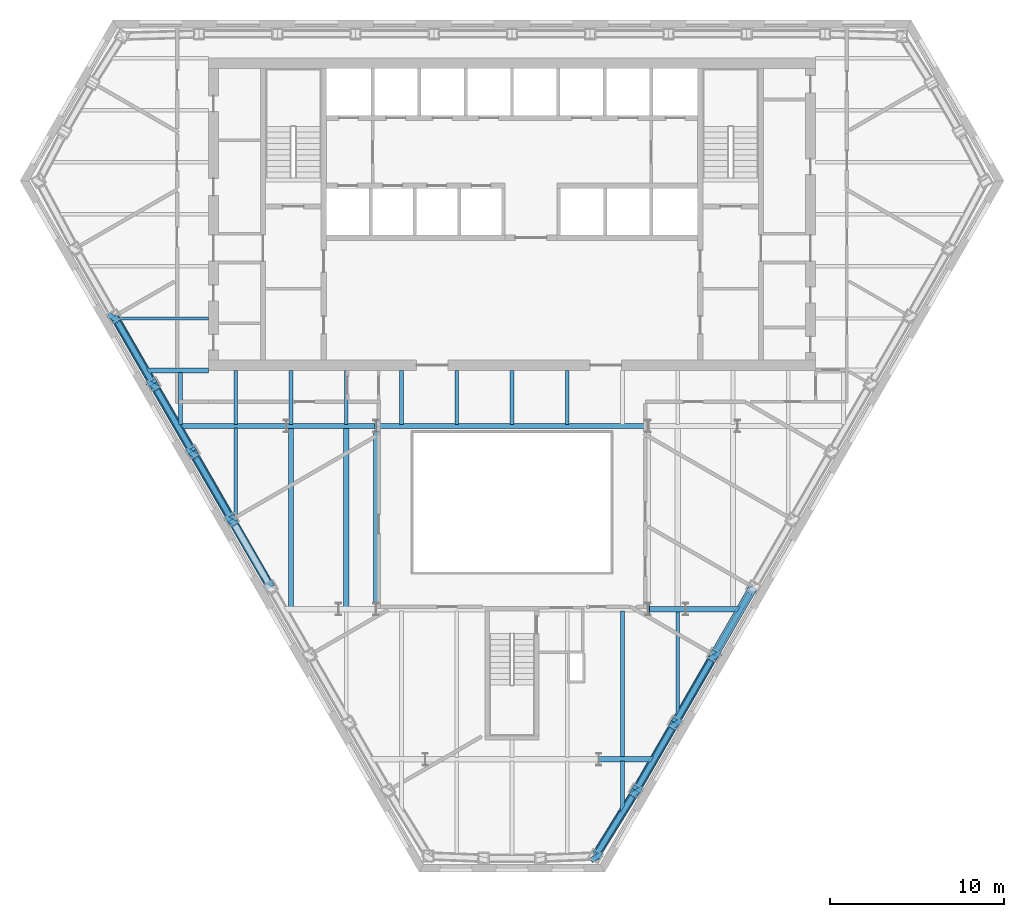
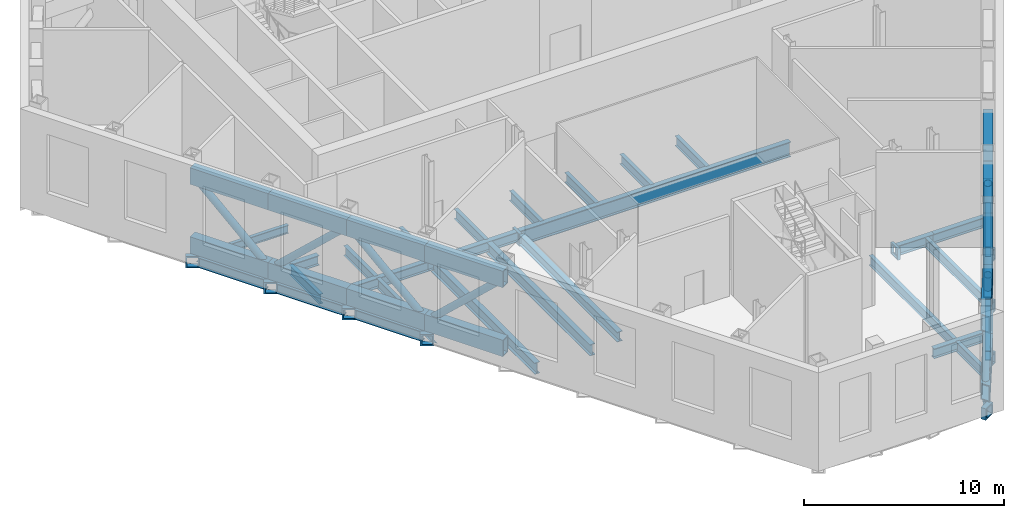
# One storey, part 3 of 14: 40 beams, 23 members.
"""IFC4 building model written with IfcOpenShell, lengths in metres."""

from ifc_helpers import new_model, si_unit, direction, frame, origin, origin_2d, place, context, subcontext, project, spatial, hollow_rectangle, hollow_circle, i_section, extrude, clip, halfspace, material, material_profile, profile_set, type_object, element, save


model = new_model("IFC4")

# Units and contexts
model_context = context("Model", 3, precision=1e-05, world=origin(), true_north=direction((0.0, 1.0)))
body_context = subcontext(model_context, "Body", "Model", "MODEL_VIEW")
ifc_project = project(units=[si_unit("LENGTHUNIT", "METRE"), si_unit("AREAUNIT", "SQUARE_METRE"), si_unit("VOLUMEUNIT", "CUBIC_METRE"), si_unit("PLANEANGLEUNIT", "RADIAN"), si_unit("MASSUNIT", "GRAM", prefix="KILO")], contexts=[model_context])

# Site, building, storey
site_placement = place(None, origin())
site = spatial("IfcSite", under=ifc_project, at=site_placement, CompositionType="ELEMENT")
building_placement = place(site_placement, origin())
building = spatial("IfcBuilding", under=site, at=building_placement, Name="Njiva Tower", CompositionType="ELEMENT")
storey_placement = place(building_placement, frame((0.0, 0.0, 78.3)))
storey = spatial("IfcBuildingStorey", under=building, at=storey_placement, Name="L16", CompositionType="ELEMENT", Elevation=78.3)

# Beams
ifc_material_1 = material(Name="Steel S355 J2", Category="steel")
ifc_material_profile_1 = material_profile(ifc_material_1, i_section(OverallWidth=0.3, OverallDepth=0.69, WebThickness=0.0145, FlangeThickness=0.027, at=origin_2d()), Name="HEA 700")
ifc_profile_set_1 = profile_set([ifc_material_profile_1], Name="Steel S355 J2")
beam_type_1 = type_object("IfcBeamType", Name="B12 Long-span floor joist HEA 700", PredefinedType="JOIST", material=ifc_profile_set_1)
for number, where, z_axis, x_axis, name in (
    (1, (-12.733, -3.3, -0.545), (0.0, -1.0, 0.0), (1.0, 0.0, 0.0), "Long-span floor joist T1-B061"),
    (2, (-9.55, -3.3, -0.545), (0.0, -1.0, 0.0), (1.0, 0.0, 0.0), "Long-span floor joist T1-B064"),
):
    element("IfcBeam", number, at=place(storey_placement, frame(where, z_axis=z_axis, x_axis=x_axis)), inside=storey, type_object=beam_type_1, Name=name, PredefinedType="JOIST", context=body_context, shape_type="SweptSolid", body=[
        extrude(i_section(OverallWidth=0.3, OverallDepth=0.69, WebThickness=0.0145, FlangeThickness=0.027, at=origin_2d()), origin(), (0.0, 0.0, 1.0), 10.35),
    ])
ifc_material_profile_2 = material_profile(ifc_material_1, i_section(OverallWidth=0.22, OverallDepth=0.6, WebThickness=0.012, FlangeThickness=0.019, at=origin_2d()), Name="IPE 600")
ifc_profile_set_2 = profile_set([ifc_material_profile_2], Name="Steel S355 J2")
beam_type_2 = type_object("IfcBeamType", Name="B13 Floor joist IPE 600", PredefinedType="JOIST", material=ifc_profile_set_2)
beam_1_placement = place(storey_placement, frame((-15.917, -3.3, -0.5), z_axis=(0.0, -1.0, 0.0), x_axis=(1.0, 0.0, 0.0)))
element("IfcBeam", 3, at=beam_1_placement, inside=storey, type_object=beam_type_2, Name="Floor joist T1-B059", PredefinedType="JOIST", context=body_context, shape_type="Clipping", body=[
    clip(extrude(i_section(OverallWidth=0.22, OverallDepth=0.6, WebThickness=0.012, FlangeThickness=0.019, at=origin_2d()), origin(), (0.0, 0.0, 1.0), 5.713), halfspace(frame((-0.043, 0.0, 5.4266), z_axis=(-0.866026552831, 0.0, 0.499998009787), x_axis=(0.0, 1.0, 0.0)), False)),
])
beam_2_placement = place(storey_placement, frame((6.367, -13.851, -0.5), z_axis=(0.0, -1.0, 0.0), x_axis=(1.0, 0.0, 0.0)))
element("IfcBeam", 4, at=beam_2_placement, inside=storey, type_object=beam_type_2, Name="Floor joist T1-B079", PredefinedType="JOIST", context=body_context, shape_type="SweptSolid", body=[
    extrude(i_section(OverallWidth=0.22, OverallDepth=0.6, WebThickness=0.012, FlangeThickness=0.019, at=origin_2d()), origin(), (0.0, 0.0, 1.0), 8.449),
])
beam_3_placement = place(storey_placement, frame((9.55, -13.85, -0.5), z_axis=(0.0, -1.0, 0.0), x_axis=(1.0, 0.0, 0.0)))
element("IfcBeam", 5, at=beam_3_placement, inside=storey, type_object=beam_type_2, Name="Floor joist T1-B081", PredefinedType="JOIST", context=body_context, shape_type="Clipping", body=[
    clip(extrude(i_section(OverallWidth=0.22, OverallDepth=0.6, WebThickness=0.012, FlangeThickness=0.019, at=origin_2d()), origin(), (0.0, 0.0, 1.0), 6.19), halfspace(frame((0.0433, 0.0, 5.904), z_axis=(0.866026552831, 0.0, 0.499998009787), x_axis=(0.0, 1.0, 0.0)), False)),
])
ifc_material_profile_3 = material_profile(ifc_material_1, i_section(OverallWidth=0.22, OverallDepth=0.6, WebThickness=0.012, FlangeThickness=0.019, at=origin_2d()), Name="IPE 600")
ifc_profile_set_3 = profile_set([ifc_material_profile_3], Name="Steel S355 J2")
beam_type_3 = type_object("IfcBeamType", Name="B14 Short-span floor joist IPE 600", PredefinedType="JOIST", material=ifc_profile_set_3)
beam_4_placement = place(storey_placement, frame((-19.1, -0.1, -0.5), z_axis=(0.0, -1.0, 0.0), x_axis=(1.0, 0.0, 0.0)))
element("IfcBeam", 6, at=beam_4_placement, inside=storey, type_object=beam_type_3, Name="Short-span floor joist T1-B058", PredefinedType="JOIST", context=body_context, shape_type="SweptSolid", body=[
    extrude(i_section(OverallWidth=0.22, OverallDepth=0.6, WebThickness=0.012, FlangeThickness=0.019, at=origin_2d()), origin(), (0.0, 0.0, 1.0), 3.0),
])
for number, where, z_axis, x_axis, name in (
    (7, (-15.917, -0.005, -0.5), (0.0, -1.0, 0.0), (1.0, 0.0, 0.0), "Short-span floor joist T1-B060"),
    (8, (-12.733, -0.005, -0.5), (0.0, -1.0, 0.0), (1.0, 0.0, 0.0), "Short-span floor joist T1-B062"),
    (9, (-9.55, -0.005, -0.5), (0.0, -1.0, 0.0), (1.0, 0.0, 0.0), "Short-span floor joist T1-B065"),
):
    element("IfcBeam", number, at=place(storey_placement, frame(where, z_axis=z_axis, x_axis=x_axis)), inside=storey, type_object=beam_type_3, Name=name, PredefinedType="JOIST", context=body_context, shape_type="SweptSolid", body=[
        extrude(i_section(OverallWidth=0.22, OverallDepth=0.6, WebThickness=0.012, FlangeThickness=0.019, at=origin_2d()), origin(), (0.0, 0.0, 1.0), 3.095),
    ])
for number, where, z_axis, x_axis, name in (
    (10, (-6.367, -0.005, -0.5), (0.0, -1.0, 0.0), (1.0, 0.0, 0.0), "Short-span floor joist T1-B068"),
    (11, (-3.183, -0.005, -0.5), (0.0, -1.0, 0.0), (1.0, 0.0, 0.0), "Short-span floor joist T1-B071"),
    (12, (0.0, -0.005, -0.5), (0.0, -1.0, 0.0), (1.0, 0.0, 0.0), "Short-span floor joist T1-B074"),
    (13, (3.183, -0.005, -0.5), (0.0, -1.0, 0.0), (1.0, 0.0, 0.0), "Short-span floor joist T1-B077"),
):
    element("IfcBeam", number, at=place(storey_placement, frame(where, z_axis=z_axis, x_axis=x_axis)), inside=storey, type_object=beam_type_3, Name=name, PredefinedType="JOIST", context=body_context, shape_type="SweptSolid", body=[
        extrude(i_section(OverallWidth=0.22, OverallDepth=0.6, WebThickness=0.012, FlangeThickness=0.019, at=origin_2d()), origin(), (0.0, 0.0, 1.0), 3.094),
    ])
beam_5_placement = place(storey_placement, frame((6.367, -22.5, -0.5), z_axis=(0.0, -1.0, 0.0), x_axis=(1.0, 0.0, 0.0)))
element("IfcBeam", 14, at=beam_5_placement, inside=storey, type_object=beam_type_3, Name="Short-span floor joist T1-B078", PredefinedType="JOIST", context=body_context, shape_type="Clipping", body=[
    clip(extrude(i_section(OverallWidth=0.22, OverallDepth=0.6, WebThickness=0.012, FlangeThickness=0.019, at=origin_2d()), origin(), (0.0, 0.0, 1.0), 2.962), halfspace(frame((0.0422, 0.0, 2.6952), z_axis=(0.850620428373, 0.0, 0.525780264783), x_axis=(0.0, 1.0, 0.0)), False)),
])
ifc_material_profile_4 = material_profile(ifc_material_1, hollow_rectangle(XDim=0.7, YDim=0.7, WallThickness=0.08, at=origin_2d()), Name="BOX 700x700x80")
ifc_profile_set_4 = profile_set([ifc_material_profile_4], Name="Steel S355 J2")
beam_type_4 = type_object("IfcBeamType", Name="B19 Column jog beam BOX 700x700x80", PredefinedType="BEAM", material=ifc_profile_set_4)
for number, where, z_axis, x_axis, name in (
    (15, (-23.039, 2.918, -0.55), (0.49972245349, 0.866185586049, 0.0), (-0.866185586049, 0.49972245349, 0.0), "Column jog beam T1-B030"),
    (16, (-20.785, -0.986, -0.55), (0.49972245349, 0.866185586049, 0.0), (-0.866185586049, 0.49972245349, 0.0), "Column jog beam T1-B031"),
    (17, (-18.531, -4.889, -0.55), (0.49972245349, 0.866185586049, 0.0), (-0.866185586049, 0.49972245349, 0.0), "Column jog beam T1-B032"),
    (18, (-16.277, -8.793, -0.55), (0.49972245349, 0.866185586049, 0.0), (-0.866185586049, 0.49972245349, 0.0), "Column jog beam T1-B033"),
):
    element("IfcBeam", number, at=place(storey_placement, frame(where, z_axis=z_axis, x_axis=x_axis)), inside=storey, type_object=beam_type_4, Name=name, PredefinedType="BEAM", context=body_context, shape_type="SweptSolid", body=[
        extrude(hollow_rectangle(XDim=0.7, YDim=0.7, WallThickness=0.08, at=origin_2d()), origin(), (0.0, 0.0, 1.0), 0.3002),
    ])
beam_6_placement = place(storey_placement, frame((4.931, -28.178, -0.55), z_axis=(-0.501167968632, 0.865350025838, 0.0), x_axis=(-0.865350025838, -0.501167968632, 0.0)))
element("IfcBeam", 19, at=beam_6_placement, inside=storey, type_object=beam_type_4, Name="Column jog beam T1-B043", PredefinedType="BEAM", context=body_context, shape_type="SweptSolid", body=[
    extrude(hollow_rectangle(XDim=0.7, YDim=0.7, WallThickness=0.08, at=origin_2d()), origin(), (0.0, 0.0, 1.0), 0.2993),
])
for number, where, z_axis, x_axis, name in (
    (20, (7.262, -24.408, -0.55), (-0.49972245349, 0.866185586049, 0.0), (-0.866185586049, -0.49972245349, 0.0), "Column jog beam T1-B044"),
    (21, (9.516, -20.504, -0.55), (-0.49972245349, 0.866185586049, 0.0), (-0.866185586049, -0.49972245349, 0.0), "Column jog beam T1-B047"),
    (22, (11.77, -16.6, -0.55), (-0.49972245349, 0.866185586049, 0.0), (-0.866185586049, -0.49972245349, 0.0), "Column jog beam T1-B048"),
):
    element("IfcBeam", number, at=place(storey_placement, frame(where, z_axis=z_axis, x_axis=x_axis)), inside=storey, type_object=beam_type_4, Name=name, PredefinedType="BEAM", context=body_context, shape_type="SweptSolid", body=[
        extrude(hollow_rectangle(XDim=0.7, YDim=0.7, WallThickness=0.08, at=origin_2d()), origin(), (0.0, 0.0, 1.0), 0.3002),
    ])
for number, where, z_axis, x_axis, name in (
    (23, (-7.93, -3.2, -0.55), (1.0, 0.0, 0.0), (0.0, 1.0, 0.0), "Column jog beam T1-B038"),
    (24, (7.93, -13.75, -0.55), (-1.0, 0.0, 0.0), (0.0, -1.0, 0.0), "Column jog beam T1-B045"),
):
    element("IfcBeam", number, at=place(storey_placement, frame(where, z_axis=z_axis, x_axis=x_axis)), inside=storey, type_object=beam_type_4, Name=name, PredefinedType="BEAM", context=body_context, shape_type="SweptSolid", body=[
        extrude(hollow_rectangle(XDim=0.7, YDim=0.7, WallThickness=0.08, at=origin_2d()), origin(), (0.0, 0.0, 1.0), 0.16),
    ])
ifc_material_profile_5 = material_profile(ifc_material_1, i_section(OverallWidth=0.3, OverallDepth=0.6, WebThickness=0.0155, FlangeThickness=0.03, at=origin_2d()), Name="HEB 600")
ifc_profile_set_5 = profile_set([ifc_material_profile_5], Name="Steel S355 J2")
beam_type_5 = type_object("IfcBeamType", Name="B20 Floor girder HEB 600", PredefinedType="BEAM", material=ifc_profile_set_5)
beam_7_placement = place(storey_placement, frame((-19.258, -3.2, -0.5), z_axis=(1.0, 0.0, 0.0), x_axis=(0.0, 1.0, 0.0)))
element("IfcBeam", 25, at=beam_7_placement, inside=storey, type_object=beam_type_5, Name="Floor girder T1-B014", PredefinedType="BEAM", context=body_context, shape_type="Clipping", body=[
    clip(extrude(i_section(OverallWidth=0.3, OverallDepth=0.6, WebThickness=0.0155, FlangeThickness=0.03, at=origin_2d()), origin(), (0.0, 0.0, 1.0), 6.258), halfspace(frame((-0.025, 0.0, 0.1217), z_axis=(-0.499998009787, 0.0, -0.866026552831), x_axis=(0.0, -1.0, 0.0)), False)),
])
beam_8_placement = place(storey_placement, frame((-13.0, -3.2, -0.5), z_axis=(1.0, 0.0, 0.0), x_axis=(0.0, 1.0, 0.0)))
element("IfcBeam", 26, at=beam_8_placement, inside=storey, type_object=beam_type_5, Name="Floor girder T1-B016", PredefinedType="BEAM", context=body_context, shape_type="SweptSolid", body=[
    extrude(i_section(OverallWidth=0.3, OverallDepth=0.6, WebThickness=0.0155, FlangeThickness=0.03, at=origin_2d()), origin(), (0.0, 0.0, 1.0), 5.17),
])
ifc_material_profile_6 = material_profile(ifc_material_1, i_section(OverallWidth=0.3, OverallDepth=0.6, WebThickness=0.0155, FlangeThickness=0.03, at=origin_2d()), Name="HEB 600")
ifc_profile_set_6 = profile_set([ifc_material_profile_6], Name="Steel S355 J2")
beam_type_6 = type_object("IfcBeamType", Name="B21 Short-span floor girder HEB 600", PredefinedType="BEAM", material=ifc_profile_set_6)
beam_9_placement = place(storey_placement, frame((7.83, -13.75, -0.5), z_axis=(1.0, 0.0, 0.0), x_axis=(0.0, 1.0, 0.0)))
element("IfcBeam", 27, at=beam_9_placement, inside=storey, type_object=beam_type_6, Name="Short-span floor girder T1-B021", PredefinedType="BEAM", context=body_context, shape_type="SweptSolid", body=[
    extrude(i_section(OverallWidth=0.3, OverallDepth=0.6, WebThickness=0.0155, FlangeThickness=0.03, at=origin_2d()), origin(), (0.0, 0.0, 1.0), 2.17),
])
beam_10_placement = place(storey_placement, frame((10.0, -13.75, -0.5), z_axis=(1.0, 0.0, 0.0), x_axis=(0.0, 1.0, 0.0)))
element("IfcBeam", 28, at=beam_10_placement, inside=storey, type_object=beam_type_6, Name="Short-span floor girder T1-B023", PredefinedType="BEAM", context=body_context, shape_type="Clipping", body=[
    clip(extrude(i_section(OverallWidth=0.3, OverallDepth=0.6, WebThickness=0.0155, FlangeThickness=0.03, at=origin_2d()), origin(), (0.0, 0.0, 1.0), 3.167), halfspace(frame((-0.025, 0.0, 3.0453), z_axis=(-0.499998009787, 0.0, 0.866026552831), x_axis=(0.0, 1.0, 0.0)), False)),
])
beam_11_placement = place(storey_placement, frame((5.0, -22.4, -0.5), z_axis=(1.0, 0.0, 0.0), x_axis=(0.0, 1.0, 0.0)))
element("IfcBeam", 29, at=beam_11_placement, inside=storey, type_object=beam_type_6, Name="Short-span floor girder T1-B020", PredefinedType="BEAM", context=body_context, shape_type="Clipping", body=[
    clip(extrude(i_section(OverallWidth=0.3, OverallDepth=0.6, WebThickness=0.0155, FlangeThickness=0.03, at=origin_2d()), origin(), (0.0, 0.0, 1.0), 3.173), halfspace(frame((-0.025, 0.0, 3.0512), z_axis=(-0.499998009787, 0.0, 0.866026552831), x_axis=(0.0, 1.0, 0.0)), False)),
])
beam_12_placement = place(storey_placement, frame((-21.105, 0.0, -0.5), z_axis=(1.0, 0.0, 0.0), x_axis=(0.0, 1.0, 0.0)))
element("IfcBeam", 30, at=beam_12_placement, inside=storey, type_object=beam_type_6, Name="Short-span floor girder T1-B013", PredefinedType="BEAM", context=body_context, shape_type="Clipping", body=[
    clip(extrude(i_section(OverallWidth=0.3, OverallDepth=0.6, WebThickness=0.0155, FlangeThickness=0.03, at=origin_2d()), origin(), (0.0, 0.0, 1.0), 3.605), halfspace(frame((-0.025, 0.0, 0.1211), z_axis=(-0.499998009787, 0.0, -0.866026552831), x_axis=(0.0, -1.0, 0.0)), False)),
])
ifc_material_profile_7 = material_profile(ifc_material_1, i_section(OverallWidth=0.3, OverallDepth=0.6, WebThickness=0.0155, FlangeThickness=0.03, at=origin_2d()), Name="HEB 600")
ifc_profile_set_7 = profile_set([ifc_material_profile_7], Name="Steel S355 J2")
beam_type_7 = type_object("IfcBeamType", Name="B23 Long-span atrium trimmer beam HEB 600", PredefinedType="BEAM", material=ifc_profile_set_7)
beam_13_placement = place(storey_placement, frame((-7.83, -3.557, -0.5), z_axis=(0.0, -1.0, 0.0), x_axis=(1.0, 0.0, 0.0)))
element("IfcBeam", 31, at=beam_13_placement, inside=storey, type_object=beam_type_7, Name="Long-span atrium trimmer beam T1-B090", PredefinedType="BEAM", context=body_context, shape_type="SweptSolid", body=[
    extrude(i_section(OverallWidth=0.3, OverallDepth=0.6, WebThickness=0.0155, FlangeThickness=0.03, at=origin_2d()), origin(), (0.0, 0.0, 1.0), 9.836),
])
ifc_material_profile_8 = material_profile(ifc_material_1, i_section(OverallWidth=0.2, OverallDepth=0.5, WebThickness=0.0102, FlangeThickness=0.016, at=origin_2d()), Name="IPE 500")
ifc_profile_set_8 = profile_set([ifc_material_profile_8], Name="Steel S355 J2")
beam_type_8 = type_object("IfcBeamType", Name="B24 Floor beam to the core IPE 500", PredefinedType="BEAM", material=ifc_profile_set_8)
beam_14_placement = place(storey_placement, frame((-22.758, 3.0, -0.45), z_axis=(1.0, 0.0, 0.0), x_axis=(0.0, 1.0, 0.0)))
element("IfcBeam", 32, at=beam_14_placement, inside=storey, type_object=beam_type_8, Name="Floor beam to the core T1-B006", PredefinedType="BEAM", context=body_context, shape_type="Clipping", body=[
    clip(extrude(i_section(OverallWidth=0.2, OverallDepth=0.5, WebThickness=0.0102, FlangeThickness=0.016, at=origin_2d()), origin(), (0.0, 0.0, 1.0), 5.258), halfspace(frame((-0.025, 0.0, 0.0925), z_axis=(-0.499998009787, 0.0, -0.866026552831), x_axis=(0.0, -1.0, 0.0)), False)),
])
ifc_material_profile_9 = material_profile(ifc_material_1, i_section(OverallWidth=0.3, OverallDepth=0.6, WebThickness=0.0155, FlangeThickness=0.03, at=origin_2d()), Name="HEB 600")
ifc_profile_set_9 = profile_set([ifc_material_profile_9], Name="Steel S355 J2")
beam_type_9 = type_object("IfcBeamType", Name="B3 Short-span spandrel beam HEB 600", PredefinedType="SPANDREL", material=ifc_profile_set_9)
beam_15_placement = place(storey_placement, frame((-22.724, 2.788, -0.5), z_axis=(0.500047346826, -0.865998066356, 0.0), x_axis=(0.865998066356, 0.500047346826, 0.0)))
element("IfcBeam", 33, at=beam_15_placement, inside=storey, type_object=beam_type_9, Name="Short-span spandrel beam T1-B098", PredefinedType="SPANDREL", context=body_context, shape_type="SweptSolid", body=[
    extrude(i_section(OverallWidth=0.3, OverallDepth=0.6, WebThickness=0.0155, FlangeThickness=0.03, at=origin_2d()), origin(), (0.0, 0.0, 1.0), 3.9076),
])
beam_16_placement = place(storey_placement, frame((-20.47, -1.116, -0.5), z_axis=(0.500158186394, -0.865934055563, 0.0), x_axis=(0.865934055563, 0.500158186394, 0.0)))
element("IfcBeam", 34, at=beam_16_placement, inside=storey, type_object=beam_type_9, Name="Short-span spandrel beam T1-B100", PredefinedType="SPANDREL", context=body_context, shape_type="SweptSolid", body=[
    extrude(i_section(OverallWidth=0.3, OverallDepth=0.6, WebThickness=0.0155, FlangeThickness=0.03, at=origin_2d()), origin(), (0.0, 0.0, 1.0), 3.9068),
])
beam_17_placement = place(storey_placement, frame((-18.216, -5.019, -0.5), z_axis=(0.500047346826, -0.865998066356, 0.0), x_axis=(0.865998066356, 0.500047346826, 0.0)))
element("IfcBeam", 35, at=beam_17_placement, inside=storey, type_object=beam_type_9, Name="Short-span spandrel beam T1-B101", PredefinedType="SPANDREL", context=body_context, shape_type="SweptSolid", body=[
    extrude(i_section(OverallWidth=0.3, OverallDepth=0.6, WebThickness=0.0155, FlangeThickness=0.03, at=origin_2d()), origin(), (0.0, 0.0, 1.0), 3.9076),
])
beam_18_placement = place(storey_placement, frame((4.924, -27.788, -0.5), z_axis=(0.525832416533, 0.850588190444, 0.0), x_axis=(-0.850588190444, 0.525832416533, 0.0)))
element("IfcBeam", 36, at=beam_18_placement, inside=storey, type_object=beam_type_9, Name="Short-span spandrel beam T1-B116", PredefinedType="SPANDREL", context=body_context, shape_type="SweptSolid", body=[
    extrude(i_section(OverallWidth=0.3, OverallDepth=0.6, WebThickness=0.0155, FlangeThickness=0.03, at=origin_2d()), origin(), (0.0, 0.0, 1.0), 3.8244),
])
for number, where, z_axis, x_axis, name in (
    (37, (7.247, -24.018, -0.5), (0.500047346826, 0.865998066356, 0.0), (-0.865998066356, 0.500047346826, 0.0), "Short-span spandrel beam T1-B117"),
    (38, (9.501, -20.114, -0.5), (0.500047346826, 0.865998066356, 0.0), (-0.865998066356, 0.500047346826, 0.0), "Short-span spandrel beam T1-B119"),
):
    element("IfcBeam", number, at=place(storey_placement, frame(where, z_axis=z_axis, x_axis=x_axis)), inside=storey, type_object=beam_type_9, Name=name, PredefinedType="SPANDREL", context=body_context, shape_type="SweptSolid", body=[
        extrude(i_section(OverallWidth=0.3, OverallDepth=0.6, WebThickness=0.0155, FlangeThickness=0.03, at=origin_2d()), origin(), (0.0, 0.0, 1.0), 3.9076),
    ])
beam_19_placement = place(storey_placement, frame((11.755, -16.21, -0.5), z_axis=(0.499966215292, 0.866044908516, 0.0), x_axis=(-0.866044908516, 0.499966215292, 0.0)))
element("IfcBeam", 39, at=beam_19_placement, inside=storey, type_object=beam_type_9, Name="Short-span spandrel beam T1-B120", PredefinedType="SPANDREL", context=body_context, shape_type="SweptSolid", body=[
    extrude(i_section(OverallWidth=0.3, OverallDepth=0.6, WebThickness=0.0155, FlangeThickness=0.03, at=origin_2d()), origin(), (0.0, 0.0, 1.0), 3.9063),
])
ifc_material_profile_10 = material_profile(ifc_material_1, i_section(OverallWidth=0.302, OverallDepth=0.91, WebThickness=0.021, FlangeThickness=0.04, at=origin_2d()), Name="HEM 900")
ifc_profile_set_10 = profile_set([ifc_material_profile_10], Name="Steel S355 J2")
beam_type_10 = type_object("IfcBeamType", Name="B8 Long-span atrium trimmer beam HEM 900", PredefinedType="BEAM", material=ifc_profile_set_10)
beam_20_placement = place(storey_placement, frame((7.83, -3.2, -0.655), z_axis=(-1.0, 0.0, 0.0), x_axis=(0.0, -1.0, 0.0)))
element("IfcBeam", 40, at=beam_20_placement, inside=storey, type_object=beam_type_10, Name="Long-span atrium trimmer beam T1-B091", PredefinedType="BEAM", context=body_context, shape_type="SweptSolid", body=[
    extrude(i_section(OverallWidth=0.302, OverallDepth=0.91, WebThickness=0.021, FlangeThickness=0.04, at=origin_2d()), origin(), (0.0, 0.0, 1.0), 15.66),
])

# Members
ifc_material_profile_11 = material_profile(ifc_material_1, hollow_rectangle(XDim=0.5, YDim=1.0, WallThickness=0.06, at=origin_2d()), Name="BOX 1000x500x60")
ifc_profile_set_11 = profile_set([ifc_material_profile_11], Name="Steel S355 J2")
member_type_1 = type_object("IfcMemberType", Name="TC1 Transfer and belt truss chord BOX 1000x500x60", PredefinedType="CHORD", material=ifc_profile_set_11)
for number, where, z_axis, x_axis, name in (
    (41, (-22.919, 3.126, 0.5), (0.500004084281, -0.866023045711, 0.0), (0.866023045711, 0.500004084281, 0.0), "Transfer and belt truss chord T1-TR046"),
    (42, (-22.919, 3.126, 4.7), (0.500004084281, -0.866023045711, 0.0), (0.866023045711, 0.500004084281, 0.0), "Transfer and belt truss chord T1-TR047"),
):
    element("IfcMember", number, at=place(storey_placement, frame(where, z_axis=z_axis, x_axis=x_axis)), inside=storey, type_object=member_type_1, Name=name, PredefinedType="CHORD", context=body_context, shape_type="SweptSolid", body=[
        extrude(hollow_rectangle(XDim=0.5, YDim=1.0, WallThickness=0.06, at=origin_2d()), origin(), (0.0, 0.0, 1.0), 4.508),
    ])
for number, where, z_axis, x_axis, name in (
    (43, (-20.665, -0.778, 0.5), (0.50010015525, -0.865967571402, 0.0), (0.865967571402, 0.50010015525, 0.0), "Transfer and belt truss chord T1-TR049"),
    (44, (-20.665, -0.778, 4.7), (0.50010015525, -0.865967571402, 0.0), (0.865967571402, 0.50010015525, 0.0), "Transfer and belt truss chord T1-TR050"),
):
    element("IfcMember", number, at=place(storey_placement, frame(where, z_axis=z_axis, x_axis=x_axis)), inside=storey, type_object=member_type_1, Name=name, PredefinedType="CHORD", context=body_context, shape_type="SweptSolid", body=[
        extrude(hollow_rectangle(XDim=0.5, YDim=1.0, WallThickness=0.06, at=origin_2d()), origin(), (0.0, 0.0, 1.0), 4.5071),
    ])
for number, where, z_axis, x_axis, name in (
    (45, (-18.411, -4.681, 0.5), (0.500004084281, -0.866023045711, 0.0), (0.866023045711, 0.500004084281, 0.0), "Transfer and belt truss chord T1-TR052"),
    (46, (-18.411, -4.681, 4.7), (0.500004084281, -0.866023045711, 0.0), (0.866023045711, 0.500004084281, 0.0), "Transfer and belt truss chord T1-TR053"),
    (47, (-16.157, -8.585, 0.5), (0.500004084281, -0.866023045711, 0.0), (0.866023045711, 0.500004084281, 0.0), "Transfer and belt truss chord T1-TR055"),
    (48, (-16.157, -8.585, 4.7), (0.500004084281, -0.866023045711, 0.0), (0.866023045711, 0.500004084281, 0.0), "Transfer and belt truss chord T1-TR056"),
):
    element("IfcMember", number, at=place(storey_placement, frame(where, z_axis=z_axis, x_axis=x_axis)), inside=storey, type_object=member_type_1, Name=name, PredefinedType="CHORD", context=body_context, shape_type="SweptSolid", body=[
        extrude(hollow_rectangle(XDim=0.5, YDim=1.0, WallThickness=0.06, at=origin_2d()), origin(), (0.0, 0.0, 1.0), 4.508),
    ])
member_1_placement = place(storey_placement, frame((4.7253, -28.1096, 0.5), z_axis=(0.525795391851, 0.850611077936, 0.0), x_axis=(-0.850611077936, 0.525795391851, 0.0)))
element("IfcMember", 49, at=member_1_placement, inside=storey, type_object=member_type_1, Name="Transfer and belt truss chord T1-TR079", PredefinedType="CHORD", context=body_context, shape_type="Clipping", body=[
    clip(clip(extrude(hollow_rectangle(XDim=0.5, YDim=1.0, WallThickness=0.06, at=origin_2d()), origin(), (0.0, 0.0, 1.0), 4.6303), halfspace(frame((0.0, -78.8, 0.163), z_axis=(0.468581276608, 0.0, -0.883420390987), x_axis=(0.0, -1.0, 0.0)), False)), halfspace(frame((0.0, -78.8, 4.5963), z_axis=(0.015018596148, 0.0, 0.999887214525), x_axis=(0.0, 1.0, 0.0)), False)),
])
member_2_placement = place(storey_placement, frame((4.7253, -28.1096, 4.7), z_axis=(0.525795391851, 0.850611077936, 0.0), x_axis=(-0.850611077936, 0.525795391851, 0.0)))
element("IfcMember", 50, at=member_2_placement, inside=storey, type_object=member_type_1, Name="Transfer and belt truss chord T1-TR080", PredefinedType="CHORD", context=body_context, shape_type="Clipping", body=[
    clip(clip(extrude(hollow_rectangle(XDim=0.5, YDim=1.0, WallThickness=0.06, at=origin_2d()), origin(), (0.0, 0.0, 1.0), 4.6303), halfspace(frame((0.0, -83.0, 0.163), z_axis=(0.468581276608, 0.0, -0.883420390987), x_axis=(0.0, -1.0, 0.0)), False)), halfspace(frame((0.0, -83.0, 4.5963), z_axis=(0.015018596148, 0.0, 0.999887214525), x_axis=(0.0, 1.0, 0.0)), False)),
])
member_3_placement = place(storey_placement, frame((7.125, -24.2294, 0.5), z_axis=(0.500004084281, 0.866023045711, 0.0), x_axis=(-0.866023045711, 0.500004084281, 0.0)))
element("IfcMember", 51, at=member_3_placement, inside=storey, type_object=member_type_1, Name="Transfer and belt truss chord T1-TR082", PredefinedType="CHORD", context=body_context, shape_type="Clipping", body=[
    clip(extrude(hollow_rectangle(XDim=0.5, YDim=1.0, WallThickness=0.06, at=origin_2d()), origin(), (0.0, 0.0, 1.0), 4.542), halfspace(frame((0.0, -78.8, 0.034), z_axis=(0.015026707925, 0.0, -0.99988709265), x_axis=(0.0, -1.0, 0.0)), False)),
])
member_4_placement = place(storey_placement, frame((7.125, -24.2294, 4.7), z_axis=(0.500004084281, 0.866023045711, 0.0), x_axis=(-0.866023045711, 0.500004084281, 0.0)))
element("IfcMember", 52, at=member_4_placement, inside=storey, type_object=member_type_1, Name="Transfer and belt truss chord T1-TR083", PredefinedType="CHORD", context=body_context, shape_type="Clipping", body=[
    clip(extrude(hollow_rectangle(XDim=0.5, YDim=1.0, WallThickness=0.06, at=origin_2d()), origin(), (0.0, 0.0, 1.0), 4.542), halfspace(frame((0.0, -83.0, 0.034), z_axis=(0.015026707925, 0.0, -0.99988709265), x_axis=(0.0, -1.0, 0.0)), False)),
])
for number, where, z_axis, x_axis, name in (
    (53, (9.396, -20.296, 0.5), (0.500004084281, 0.866023045711, 0.0), (-0.866023045711, 0.500004084281, 0.0), "Transfer and belt truss chord T1-TR085"),
    (54, (9.396, -20.296, 4.7), (0.500004084281, 0.866023045711, 0.0), (-0.866023045711, 0.500004084281, 0.0), "Transfer and belt truss chord T1-TR086"),
):
    element("IfcMember", number, at=place(storey_placement, frame(where, z_axis=z_axis, x_axis=x_axis)), inside=storey, type_object=member_type_1, Name=name, PredefinedType="CHORD", context=body_context, shape_type="SweptSolid", body=[
        extrude(hollow_rectangle(XDim=0.5, YDim=1.0, WallThickness=0.06, at=origin_2d()), origin(), (0.0, 0.0, 1.0), 4.508),
    ])
for number, where, z_axis, x_axis, name in (
    (55, (11.65, -16.392, 0.5), (0.499933745558, 0.866063652425, 0.0), (-0.866063652425, 0.499933745558, 0.0), "Transfer and belt truss chord T1-TR088"),
    (56, (11.65, -16.392, 4.7), (0.499933745558, 0.866063652425, 0.0), (-0.866063652425, 0.499933745558, 0.0), "Transfer and belt truss chord T1-TR089"),
):
    element("IfcMember", number, at=place(storey_placement, frame(where, z_axis=z_axis, x_axis=x_axis)), inside=storey, type_object=member_type_1, Name=name, PredefinedType="CHORD", context=body_context, shape_type="SweptSolid", body=[
        extrude(hollow_rectangle(XDim=0.5, YDim=1.0, WallThickness=0.06, at=origin_2d()), origin(), (0.0, 0.0, 1.0), 4.5066),
    ])
ifc_material_2 = material(Name="Steel S355 J2H", Category="steel")
ifc_material_profile_12 = material_profile(ifc_material_2, hollow_circle(Radius=0.2032, WallThickness=0.016, at=origin_2d()), Name="CHS 406.4x16")
ifc_profile_set_12 = profile_set([ifc_material_profile_12], Name="Steel S355 J2H")
member_type_2 = type_object("IfcMemberType", Name="TD1 Transfer and belt truss diagonal CHS 406.4x16", PredefinedType="BRACE", material=ifc_profile_set_12)
member_5_placement = place(storey_placement, frame((-23.0105, 3.2844, 4.8704), z_axis=(0.365831335333, -0.633631558624, -0.681673295651), x_axis=(0.866023045711, 0.500004084281, 0.0)))
element("IfcMember", 57, at=member_5_placement, inside=storey, type_object=member_type_2, Name="Transfer and belt truss diagonal T1-TR048", PredefinedType="BRACE", context=body_context, shape_type="Clipping", body=[
    clip(clip(extrude(hollow_circle(Radius=0.2032, WallThickness=0.016, at=origin_2d()), origin(), (0.0, 0.0, 1.0), 6.6613), halfspace(frame((18.2854, 9.2986, 10.9492), z_axis=(0.0, 0.731656694083, -0.681673295651), x_axis=(0.0, -0.681673295651, -0.731656694083)), False)), halfspace(frame((18.2854, 6.9427, 13.1442), z_axis=(0.0, -0.731656694083, 0.681673295651), x_axis=(0.0, 0.681673295651, 0.731656694083)), False)),
])
member_6_placement = place(storey_placement, frame((-20.7565, -0.6196, 0.3296), z_axis=(0.365868958561, -0.6335344034, 0.681743401046), x_axis=(0.865967571402, 0.50010015525, 0.0)))
element("IfcMember", 58, at=member_6_placement, inside=storey, type_object=member_type_2, Name="Transfer and belt truss diagonal T1-TR051", PredefinedType="BRACE", context=body_context, shape_type="Clipping", body=[
    clip(clip(extrude(hollow_circle(Radius=0.2032, WallThickness=0.016, at=origin_2d()), origin(), (0.0, 0.0, 1.0), 6.6607), halfspace(frame((18.2843, -6.2277, 7.6518), z_axis=(0.0, -0.73159137169, -0.681743401046), x_axis=(0.0, -0.681743401046, 0.73159137169)), False)), halfspace(frame((18.2843, -3.872, 9.8471), z_axis=(0.0, 0.73159137169, 0.681743401046), x_axis=(0.0, 0.681743401046, -0.73159137169)), False)),
])
member_7_placement = place(storey_placement, frame((-18.5025, -4.5226, 4.8704), z_axis=(0.365831335333, -0.633631558624, -0.681673295651), x_axis=(0.866023045711, 0.500004084281, 0.0)))
element("IfcMember", 59, at=member_7_placement, inside=storey, type_object=member_type_2, Name="Transfer and belt truss diagonal T1-TR054", PredefinedType="BRACE", context=body_context, shape_type="Clipping", body=[
    clip(clip(extrude(hollow_circle(Radius=0.2032, WallThickness=0.016, at=origin_2d()), origin(), (0.0, 0.0, 1.0), 6.6613), halfspace(frame((18.2849, 3.1533, 4.3533), z_axis=(0.0, 0.731656694083, -0.681673295651), x_axis=(0.0, -0.681673295651, -0.731656694083)), False)), halfspace(frame((18.2849, 0.7973, 6.5483), z_axis=(0.0, -0.731656694083, 0.681673295651), x_axis=(0.0, 0.681673295651, 0.731656694083)), False)),
])
member_8_placement = place(storey_placement, frame((-16.2485, -8.4266, 0.3296), z_axis=(0.365831335333, -0.633631558624, 0.681673295651), x_axis=(0.866023045711, 0.500004084281, 0.0)))
element("IfcMember", 60, at=member_8_placement, inside=storey, type_object=member_type_2, Name="Transfer and belt truss diagonal T1-TR057", PredefinedType="BRACE", context=body_context, shape_type="Clipping", body=[
    clip(clip(extrude(hollow_circle(Radius=0.2032, WallThickness=0.016, at=origin_2d()), origin(), (0.0, 0.0, 1.0), 6.6613), halfspace(frame((18.2849, -0.0803, 1.055), z_axis=(0.0, -0.731656694083, -0.681673295651), x_axis=(0.0, -0.681673295651, 0.731656694083)), False)), halfspace(frame((18.2849, 2.2756, 3.25), z_axis=(0.0, 0.731656694083, 0.681673295651), x_axis=(0.0, 0.681673295651, -0.731656694083)), False)),
])
member_9_placement = place(storey_placement, frame((4.7171, -28.1229, 0.3308), z_axis=(0.381700543759, 0.617500107471, 0.687748727493), x_axis=(-0.850611077936, 0.525795391851, 0.0)))
element("IfcMember", 61, at=member_9_placement, inside=storey, type_object=member_type_2, Name="Transfer and belt truss diagonal T1-TR081", PredefinedType="BRACE", context=body_context, shape_type="Clipping", body=[
    clip(clip(extrude(hollow_circle(Radius=0.2032, WallThickness=0.016, at=origin_2d()), origin(), (0.0, 0.0, 1.0), 6.5989), halfspace(frame((18.7993, -14.2678, 16.0187), z_axis=(0.0, -0.725948819017, -0.687748727493), x_axis=(0.0, -0.687748727493, 0.725948819017)), False)), halfspace(frame((18.7993, -11.9302, 18.2333), z_axis=(0.0, 0.725948819017, 0.687748727493), x_axis=(0.0, 0.687748727493, -0.725948819017)), False)),
])
member_10_placement = place(storey_placement, frame((7.0505, -24.3584, 4.8704), z_axis=(0.365831335333, 0.633631558624, -0.681673295651), x_axis=(-0.866023045711, 0.500004084281, 0.0)))
element("IfcMember", 62, at=member_10_placement, inside=storey, type_object=member_type_2, Name="Transfer and belt truss diagonal T1-TR084", PredefinedType="BRACE", context=body_context, shape_type="Clipping", body=[
    clip(clip(extrude(hollow_circle(Radius=0.2032, WallThickness=0.016, at=origin_2d()), origin(), (0.0, 0.0, 1.0), 6.6613), halfspace(frame((18.2852, 11.4936, 13.3051), z_axis=(0.0, 0.731656694083, -0.681673295651), x_axis=(0.0, -0.681673295651, -0.731656694083)), False)), halfspace(frame((18.2852, 9.1376, 15.5001), z_axis=(0.0, -0.731656694083, 0.681673295651), x_axis=(0.0, 0.681673295651, 0.731656694083)), False)),
])
member_11_placement = place(storey_placement, frame((9.3045, -20.4544, 0.3296), z_axis=(0.365831335333, 0.633631558624, 0.681673295651), x_axis=(-0.866023045711, 0.500004084281, 0.0)))
element("IfcMember", 63, at=member_11_placement, inside=storey, type_object=member_type_2, Name="Transfer and belt truss diagonal T1-TR087", PredefinedType="BRACE", context=body_context, shape_type="Clipping", body=[
    clip(clip(extrude(hollow_circle(Radius=0.2032, WallThickness=0.016, at=origin_2d()), origin(), (0.0, 0.0, 1.0), 6.6613), halfspace(frame((18.2852, -8.4206, 10.0069), z_axis=(0.0, -0.731656694083, -0.681673295651), x_axis=(0.0, -0.681673295651, 0.731656694083)), False)), halfspace(frame((18.2852, -6.0647, 12.2018), z_axis=(0.0, 0.731656694083, 0.681673295651), x_axis=(0.0, 0.681673295651, -0.731656694083)), False)),
])

save(model, "model.ifc")
